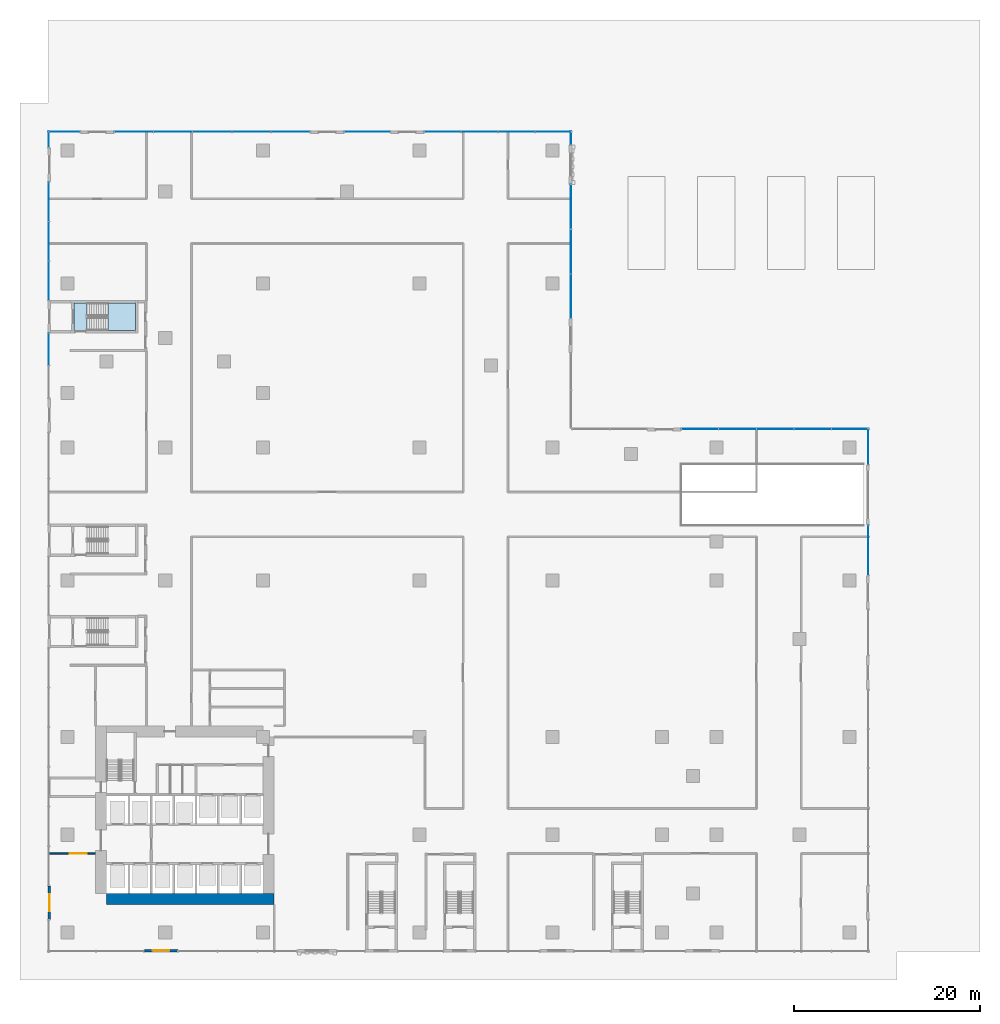
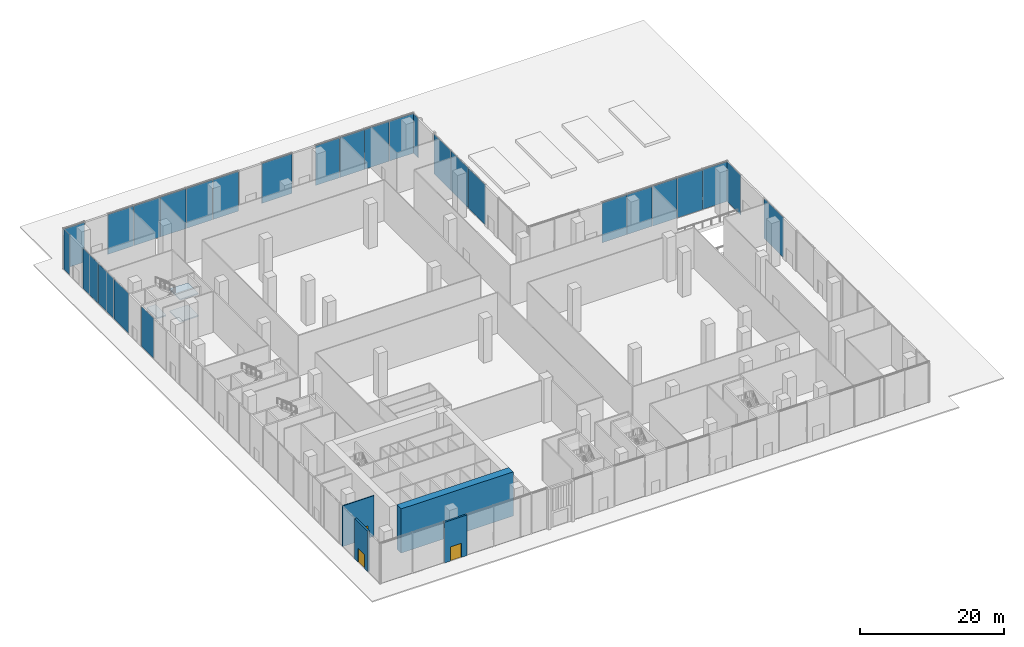
# One storey, part 12 of 26: 27 plates, 4 walls, 3 doors, 3 slabs, 3 openings, 13 elements without a shape of their own.
"""IFC4 building model written with IfcOpenShell, lengths in metres."""

import ifcopenshell
import ifcopenshell.guid

model = None  # the IFC model being written
_history = None  # IfcOwnerHistory: only IFC2X3 demands one
_inside = {}  # id of a spatial element -> (the spatial element, [elements in it])
_under = {}  # id of a project, library or spatial element -> (it, [spatial elements below it])
_declared = {}  # id of a project -> (the project, [libraries it declares])
_typed = {}  # id of a type object -> (the type object, [elements of that type])
_made_of = {}  # id of a material, layer set ... -> (it, [elements and type objects made of it])


def new_model(schema):
    """Start an empty IFC model of exactly this schema.

    Asked for "IFC4X3", IfcOpenShell would pick the latest addendum, in which some entities
    have other attributes; the version numbers below select the first issue.
    IFC2X3 requires an IfcOwnerHistory on every rooted entity: one is made here for all.
    """
    global model, _history
    if schema == "IFC4X3":
        model = ifcopenshell.file(schema_version=(4, 3, 0, 0))
    else:
        model = ifcopenshell.file(schema=schema)
    _inside.clear()
    _under.clear()
    _declared.clear()
    _typed.clear()
    _made_of.clear()
    _history = None
    if model.schema == "IFC2X3":
        org = make("IfcOrganization", Name="unknown")
        user = make(
            "IfcPersonAndOrganization",
            ThePerson=make("IfcPerson", FamilyName="unknown"),
            TheOrganization=org,
        )
        app = make(
            "IfcApplication",
            ApplicationDeveloper=org,
            Version="unknown",
            ApplicationFullName="unknown",
            ApplicationIdentifier="unknown",
        )
        _history = make(
            "IfcOwnerHistory",
            OwningUser=user,
            OwningApplication=app,
            ChangeAction="ADDED",
            CreationDate=0,
        )
    return model


def make(cls, **values):
    """One entity of the class cls with the attributes given. An attribute that is None is left unset."""
    return model.create_entity(
        cls, **{name: value for name, value in values.items() if value is not None}
    )


def rooted(cls, **values):
    """An entity with a GlobalId (a new one), such as an element, a storey or a relation."""
    return make(cls, GlobalId=ifcopenshell.guid.new(), OwnerHistory=_history, **values)


def si_unit(unit_type, name, prefix=None):
    """IfcSIUnit, for example si_unit("LENGTHUNIT", "METRE", prefix="MILLI")."""
    return make("IfcSIUnit", UnitType=unit_type, Prefix=prefix, Name=name)


def assignment(units):
    """IfcUnitAssignment: the units of a project."""
    return None if units is None else make("IfcUnitAssignment", Units=units)


def point(xyz):
    """IfcCartesianPoint."""
    return None if xyz is None else make("IfcCartesianPoint", Coordinates=xyz)


def direction(xyz):
    """IfcDirection."""
    return None if xyz is None else make("IfcDirection", DirectionRatios=xyz)


def frame(location, z_axis=None, x_axis=None):
    """IfcAxis2Placement3D, a coordinate frame: its origin and axes. An axis left out is left unset."""
    return make(
        "IfcAxis2Placement3D",
        Location=point(location),
        Axis=direction(z_axis),
        RefDirection=direction(x_axis),
    )


def frame_2d(location, x_axis=None):
    """IfcAxis2Placement2D, a coordinate frame in the plane: its origin and x axis."""
    return make(
        "IfcAxis2Placement2D", Location=point(location), RefDirection=direction(x_axis)
    )


def origin():
    """The frame at (0, 0, 0) with its axes left unset."""
    return frame((0.0, 0.0, 0.0))


def origin_2d():
    """The frame at (0, 0) in the plane with its x axis left unset."""
    return frame_2d((0.0, 0.0))


def place(relative_to, where):
    """IfcLocalPlacement: puts the frame where relative to a parent placement (None: the world)."""
    return make(
        "IfcLocalPlacement", PlacementRelTo=relative_to, RelativePlacement=where
    )


def context(
    kind, dimensions, precision=None, world=None, true_north=None, identifier=None
):
    """IfcGeometricRepresentationContext, for example the 3D "Model" context."""
    return make(
        "IfcGeometricRepresentationContext",
        ContextIdentifier=identifier,
        ContextType=kind,
        CoordinateSpaceDimension=dimensions,
        Precision=precision,
        WorldCoordinateSystem=world,
        TrueNorth=true_north,
    )


def subcontext(parent, identifier, kind, view, scale=None):
    """IfcGeometricRepresentationSubContext, for example "Body" below "Model"."""
    return make(
        "IfcGeometricRepresentationSubContext",
        ContextIdentifier=identifier,
        ContextType=kind,
        ParentContext=parent,
        TargetScale=scale,
        TargetView=view,
    )


def project(units=None, contexts=None):
    """IfcProject with its units and contexts."""
    return rooted(
        "IfcProject",
        Name="project",
        RepresentationContexts=contexts,
        UnitsInContext=assignment(units),
    )


def spatial(cls, under=None, at=None, **own):
    """A site, building, storey or space (cls), placed at a placement, below another one or the project."""
    s = rooted(cls, ObjectPlacement=at, **own)
    if under is not None:
        _under.setdefault(under.id(), (under, []))[1].append(s)
    return s


def polyline(points):
    """IfcPolyline through the points."""
    return make("IfcPolyline", Points=[point(p) for p in points])


def profile(cls, at=None, kind="AREA", **sizes):
    """A parametric profile (cls). Its sizes go by their IFC names, for example OverallWidth=200.0."""
    return make(cls, ProfileType=kind, Position=at, **sizes)


def rectangle(**sizes):
    """IfcRectangleProfileDef."""
    return profile("IfcRectangleProfileDef", **sizes)


def outline(outer, holes=None, kind="AREA"):
    """IfcArbitraryClosedProfileDef: a profile drawn as a closed curve; with holes, ...WithVoids."""
    if holes is None:
        return make("IfcArbitraryClosedProfileDef", ProfileType=kind, OuterCurve=outer)
    return make(
        "IfcArbitraryProfileDefWithVoids",
        ProfileType=kind,
        OuterCurve=outer,
        InnerCurves=holes,
    )


def extrude(swept, where, along, depth):
    """IfcExtrudedAreaSolid: the profile swept, set in the frame where, extruded along a direction by depth."""
    return make(
        "IfcExtrudedAreaSolid",
        SweptArea=swept,
        Position=where,
        ExtrudedDirection=direction(along),
        Depth=depth,
    )


def shape(context_of_items, identifier, shape_type, items):
    """IfcShapeRepresentation: the items that make up one representation, for example the "Body"."""
    return make(
        "IfcShapeRepresentation",
        ContextOfItems=context_of_items,
        RepresentationIdentifier=identifier,
        RepresentationType=shape_type,
        Items=items,
    )


def source(mapping_origin, context_of_items, identifier, shape_type, items):
    """IfcRepresentationMap: a shape defined once, which mapped items show again and again."""
    return make(
        "IfcRepresentationMap",
        MappingOrigin=mapping_origin,
        MappedRepresentation=shape(context_of_items, identifier, shape_type, items),
    )


def transform(
    local_origin,
    x_axis=None,
    y_axis=None,
    z_axis=None,
    scale=None,
    scale2=None,
    scale3=None,
    uniform=True,
):
    """IfcCartesianTransformationOperator3D, or its non-uniform kind. x_axis, y_axis, z_axis: its Axis1, 2, 3."""
    if uniform:
        return make(
            "IfcCartesianTransformationOperator3D",
            Axis1=direction(x_axis),
            Axis2=direction(y_axis),
            LocalOrigin=point(local_origin),
            Scale=scale,
            Axis3=direction(z_axis),
        )
    return make(
        "IfcCartesianTransformationOperator3DnonUniform",
        Axis1=direction(x_axis),
        Axis2=direction(y_axis),
        LocalOrigin=point(local_origin),
        Scale=scale,
        Axis3=direction(z_axis),
        Scale2=scale2,
        Scale3=scale3,
    )


def mapped(mapping_source, mapping_target):
    """IfcMappedItem: shows the shape of a source again, moved by a transform."""
    return make(
        "IfcMappedItem", MappingSource=mapping_source, MappingTarget=mapping_target
    )


def material(Name=None, Category=None):
    """IfcMaterial."""
    return make("IfcMaterial", Name=Name, Category=Category)


def layer(
    of_material, thickness, ventilated=None, Name=None, Category=None, Priority=None
):
    """IfcMaterialLayer: one layer of a wall or slab, of a material (None: an air gap)."""
    return make(
        "IfcMaterialLayer",
        Material=of_material,
        LayerThickness=thickness,
        IsVentilated=ventilated,
        Name=Name,
        Category=Category,
        Priority=Priority,
    )


def layer_set(layers, Name=None):
    """IfcMaterialLayerSet."""
    return make("IfcMaterialLayerSet", MaterialLayers=layers, LayerSetName=Name)


def made_of(thing, what):
    """Note that an element or type object is made of a material, layer set ...; save() writes the relation."""
    if what is not None:
        _made_of.setdefault(what.id(), (what, []))[1].append(thing)
    return thing


def type_object(cls, material=None, **own):
    """A type object (cls), such as IfcWallType, which elements share."""
    return made_of(rooted(cls, **own), material)


def element(
    cls,
    number,
    at=None,
    inside=None,
    cuts=None,
    type_object=None,
    material=None,
    context=None,
    identifier="Body",
    shape_type=None,
    held_by="IfcProductDefinitionShape",
    body=None,
    shapes=None,
    **own,
):
    """One element of the class cls, such as IfcWall. Its Tag is "e" and its number.

    at: its placement. inside: the storey or other place that contains it. cuts: it is an
    opening in that element (IfcRelVoidsElement). A single representation is given by context,
    identifier, shape_type and body (its items); several are given by shapes. held_by: the class
    of the entity that holds the representations. save() writes the other relations.
    """
    e = rooted(cls, Tag="e%d" % number, ObjectPlacement=at, **own)
    if body is not None:
        shapes = [shape(context, identifier, shape_type, body)]
    if shapes is not None:
        e.Representation = make(held_by, Representations=shapes)
    if inside is not None:
        _inside.setdefault(inside.id(), (inside, []))[1].append(e)
    if cuts is not None:
        rooted(
            "IfcRelVoidsElement", RelatingBuildingElement=cuts, RelatedOpeningElement=e
        )
    if type_object is not None:
        _typed.setdefault(type_object.id(), (type_object, []))[1].append(e)
    return made_of(e, material)


def fill(opening, filler):
    """IfcRelFillsElement: the door or window that sits in an opening."""
    return rooted(
        "IfcRelFillsElement",
        RelatingOpeningElement=opening,
        RelatedBuildingElement=filler,
    )


def aggregate(whole, parts):
    """IfcRelAggregates: a whole, such as a stair, and the parts it consists of."""
    return rooted("IfcRelAggregates", RelatingObject=whole, RelatedObjects=parts)


def save(model, path):
    """Write the relations noted so far, then the file.

    IfcRelAggregates (storeys below a building ...), IfcRelContainedInSpatialStructure (elements
    in a storey), IfcRelDefinesByType, IfcRelAssociatesMaterial and IfcRelDeclares: one each for
    every whole, place, type object, material and project.
    """
    for whole, parts in _under.values():
        aggregate(whole, parts)
    for where, things in _inside.values():
        rooted(
            "IfcRelContainedInSpatialStructure",
            RelatedElements=things,
            RelatingStructure=where,
        )
    for kind, things in _typed.values():
        rooted("IfcRelDefinesByType", RelatedObjects=things, RelatingType=kind)
    for what, things in _made_of.values():
        rooted("IfcRelAssociatesMaterial", RelatedObjects=things, RelatingMaterial=what)
    for by, libraries in _declared.values():
        rooted("IfcRelDeclares", RelatingContext=by, RelatedDefinitions=libraries)
    model.write(path)


model = new_model("IFC4")

# Units and contexts
model_context = context("Model", 3, precision=1e-05, world=origin(), true_north=direction((0.0, 1.0)))
body_context = subcontext(model_context, "Body", "Model", "MODEL_VIEW")
ifc_project = project(units=[si_unit("LENGTHUNIT", "METRE"), si_unit("AREAUNIT", "SQUARE_METRE"), si_unit("VOLUMEUNIT", "CUBIC_METRE"), si_unit("PLANEANGLEUNIT", "RADIAN"), si_unit("MASSUNIT", "GRAM", prefix="KILO")], contexts=[model_context])

# Site, building, storey
site_placement = place(None, origin())
site = spatial("IfcSite", under=ifc_project, at=site_placement, CompositionType="ELEMENT")
building_placement = place(site_placement, origin())
building = spatial("IfcBuilding", under=site, at=building_placement, Name="Aurelian Terraces", CompositionType="ELEMENT")
storey_placement = place(building_placement, origin())
storey = spatial("IfcBuildingStorey", under=building, at=storey_placement, Name="L00", CompositionType="ELEMENT", Elevation=0.0)

# Curtain wall, plate
ifc_material_1 = material(Name="Anodised aluminium and clear glazing", Category="aluminium")
ifc_layer_1 = layer(ifc_material_1, 0.2)
ifc_layer_set_1 = layer_set([ifc_layer_1], Name="Podium shopfront curtain wall")
curtain_wall_type = type_object("IfcCurtainWallType", Name="Podium shopfront curtain wall", PredefinedType="NOTDEFINED", material=ifc_layer_set_1)
curtain_wall_1_placement = place(storey_placement, origin())
curtain_wall_1 = element("IfcCurtainWall", 1, at=curtain_wall_1_placement, inside=storey, type_object=curtain_wall_type, Name="Podium shopfront L00 F02.7", PredefinedType="NOTDEFINED")
ifc_material_2 = material(Name="Clear glazing", Category="glass")
ifc_layer_2 = layer(ifc_material_2, 0.028)
ifc_layer_set_2 = layer_set([ifc_layer_2], Name="Podium shopfront glazing panel")
plate_type = type_object("IfcPlateType", Name="Podium shopfront glazing panel", PredefinedType="CURTAIN_PANEL", material=ifc_layer_set_2)
plate_1_placement = place(storey_placement, frame((86.0, 41.05, 0.06), z_axis=(0.0, 0.0, 1.0), x_axis=(0.0, 1.0, 0.0)))
plate_1 = element("IfcPlate", 2, at=plate_1_placement, type_object=plate_type, Name="CW1 panel 1.1", PredefinedType="CURTAIN_PANEL", context=body_context, shape_type="SweptSolid", body=[
    extrude(rectangle(XDim=5.38, YDim=0.028, at=origin_2d()), origin(), (0.0, 0.0, 1.0), 6.78),
])
aggregate(curtain_wall_1, [plate_1])

curtain_wall_2_placement = place(storey_placement, origin())
curtain_wall_2 = element("IfcCurtainWall", 3, at=curtain_wall_2_placement, inside=storey, type_object=curtain_wall_type, Name="Podium shopfront L00 F02.9", PredefinedType="NOTDEFINED")
plate_2_placement = place(storey_placement, frame((86.0, 52.19, 0.06), z_axis=(0.0, 0.0, 1.0), x_axis=(0.0, 1.0, 0.0)))
plate_2 = element("IfcPlate", 4, at=plate_2_placement, type_object=plate_type, Name="CW1 panel 1.1", PredefinedType="CURTAIN_PANEL", context=body_context, shape_type="SweptSolid", body=[
    extrude(rectangle(XDim=3.86, YDim=0.028, at=origin_2d()), origin(), (0.0, 0.0, 1.0), 6.78),
])
aggregate(curtain_wall_2, [plate_2])

# Curtain wall, plates
curtain_wall_3_placement = place(storey_placement, origin())
curtain_wall_3 = element("IfcCurtainWall", 5, at=curtain_wall_3_placement, inside=storey, type_object=curtain_wall_type, Name="Podium shopfront L00 F03.1", PredefinedType="NOTDEFINED")
plate_3_placement = place(storey_placement, frame((84.064, 54.08, 0.06), z_axis=(0.0, 0.0, 1.0), x_axis=(-1.0, 0.0, 0.0)))
plate_3 = element("IfcPlate", 6, at=plate_3_placement, type_object=plate_type, Name="CW1 panel 1.1", PredefinedType="CURTAIN_PANEL", context=body_context, shape_type="SweptSolid", body=[
    extrude(rectangle(XDim=3.952, YDim=0.028, at=origin_2d()), origin(), (0.0, 0.0, 1.0), 6.78),
])
plate_4_placement = place(storey_placement, frame((80.037, 54.08, 0.06), z_axis=(0.0, 0.0, 1.0), x_axis=(-1.0, 0.0, 0.0)))
plate_4 = element("IfcPlate", 7, at=plate_4_placement, type_object=plate_type, Name="CW1 panel 2.1", PredefinedType="CURTAIN_PANEL", context=body_context, shape_type="SweptSolid", body=[
    extrude(rectangle(XDim=3.982, YDim=0.028, at=origin_2d()), origin(), (0.0, 0.0, 1.0), 6.78),
])

curtain_wall_4_placement = place(storey_placement, origin())
curtain_wall_4 = element("IfcCurtainWall", 8, at=curtain_wall_4_placement, inside=storey, type_object=curtain_wall_type, Name="Podium shopfront L00 F04.3", PredefinedType="NOTDEFINED")
plate_5_placement = place(storey_placement, frame((54.08, 68.315, 0.06), z_axis=(0.0, 0.0, 1.0), x_axis=(0.0, 1.0, 0.0)))
plate_5 = element("IfcPlate", 9, at=plate_5_placement, type_object=plate_type, Name="CW1 panel 1.1", PredefinedType="CURTAIN_PANEL", context=body_context, shape_type="SweptSolid", body=[
    extrude(rectangle(XDim=4.73, YDim=0.028, at=origin_2d()), origin(), (0.0, 0.0, 1.0), 6.78),
])
plate_6_placement = place(storey_placement, frame((54.08, 73.12, 0.06), z_axis=(0.0, 0.0, 1.0), x_axis=(0.0, 1.0, 0.0)))
plate_6 = element("IfcPlate", 10, at=plate_6_placement, type_object=plate_type, Name="CW1 panel 2.1", PredefinedType="CURTAIN_PANEL", context=body_context, shape_type="SweptSolid", body=[
    extrude(rectangle(XDim=4.76, YDim=0.028, at=origin_2d()), origin(), (0.0, 0.0, 1.0), 6.78),
])

# Curtain wall, plate
curtain_wall_5_placement = place(storey_placement, origin())
curtain_wall_5 = element("IfcCurtainWall", 11, at=curtain_wall_5_placement, inside=storey, type_object=curtain_wall_type, Name="Podium shopfront L00 F04.5", PredefinedType="NOTDEFINED")
plate_7_placement = place(storey_placement, frame((54.08, 85.325, 0.06), z_axis=(0.0, 0.0, 1.0), x_axis=(0.0, 1.0, 0.0)))
plate_7 = element("IfcPlate", 12, at=plate_7_placement, type_object=plate_type, Name="CW1 panel 1.1", PredefinedType="CURTAIN_PANEL", context=body_context, shape_type="SweptSolid", body=[
    extrude(rectangle(XDim=1.43, YDim=0.028, at=origin_2d()), origin(), (0.0, 0.0, 1.0), 6.78),
])
aggregate(curtain_wall_5, [plate_7])

# Curtain wall, plates
curtain_wall_6_placement = place(storey_placement, origin())
curtain_wall_6 = element("IfcCurtainWall", 13, at=curtain_wall_6_placement, inside=storey, type_object=curtain_wall_type, Name="Podium shopfront L00 F05.1", PredefinedType="NOTDEFINED")
plate_8_placement = place(storey_placement, frame((52.18, 86.0, 0.06), z_axis=(0.0, 0.0, 1.0), x_axis=(-1.0, 0.0, 0.0)))
plate_8 = element("IfcPlate", 14, at=plate_8_placement, type_object=plate_type, Name="CW1 panel 1.1", PredefinedType="CURTAIN_PANEL", context=body_context, shape_type="SweptSolid", body=[
    extrude(rectangle(XDim=3.88, YDim=0.028, at=origin_2d()), origin(), (0.0, 0.0, 1.0), 6.78),
])
plate_9_placement = place(storey_placement, frame((48.225, 86.0, 0.06), z_axis=(0.0, 0.0, 1.0), x_axis=(-1.0, 0.0, 0.0)))
plate_9 = element("IfcPlate", 15, at=plate_9_placement, type_object=plate_type, Name="CW1 panel 2.1", PredefinedType="CURTAIN_PANEL", context=body_context, shape_type="SweptSolid", body=[
    extrude(rectangle(XDim=3.91, YDim=0.028, at=origin_2d()), origin(), (0.0, 0.0, 1.0), 6.78),
])

# Curtain wall, plate
curtain_wall_7_placement = place(storey_placement, origin())
curtain_wall_7 = element("IfcCurtainWall", 16, at=curtain_wall_7_placement, inside=storey, type_object=curtain_wall_type, Name="Podium shopfront L00 F06.1", PredefinedType="NOTDEFINED")
plate_10_placement = place(storey_placement, frame((-2.0, 85.175, 0.06), z_axis=(0.0, 0.0, 1.0), x_axis=(0.0, -1.0, 0.0)))
plate_10 = element("IfcPlate", 17, at=plate_10_placement, type_object=plate_type, Name="CW1 panel 1.1", PredefinedType="CURTAIN_PANEL", context=body_context, shape_type="SweptSolid", body=[
    extrude(rectangle(XDim=1.73, YDim=0.028, at=origin_2d()), origin(), (0.0, 0.0, 1.0), 6.78),
])
aggregate(curtain_wall_7, [plate_10])

# Curtain wall, plates
curtain_wall_8_placement = place(storey_placement, origin())
curtain_wall_8 = element("IfcCurtainWall", 18, at=curtain_wall_8_placement, inside=storey, type_object=curtain_wall_type, Name="Podium shopfront L00 F06.3", PredefinedType="NOTDEFINED")
plate_11_placement = place(storey_placement, frame((-2.0, 78.5017, 0.06), z_axis=(0.0, 0.0, 1.0), x_axis=(0.0, -1.0, 0.0)))
plate_11 = element("IfcPlate", 19, at=plate_11_placement, type_object=plate_type, Name="CW1 panel 1.1", PredefinedType="CURTAIN_PANEL", context=body_context, shape_type="SweptSolid", body=[
    extrude(rectangle(XDim=4.1767, YDim=0.028, at=origin_2d()), origin(), (0.0, 0.0, 1.0), 6.78),
])
plate_12_placement = place(storey_placement, frame((-2.0, 74.25, 0.06), z_axis=(0.0, 0.0, 1.0), x_axis=(0.0, -1.0, 0.0)))
plate_12 = element("IfcPlate", 20, at=plate_12_placement, type_object=plate_type, Name="CW1 panel 2.1", PredefinedType="CURTAIN_PANEL", context=body_context, shape_type="SweptSolid", body=[
    extrude(rectangle(XDim=4.2067, YDim=0.028, at=origin_2d()), origin(), (0.0, 0.0, 1.0), 6.78),
])

# Curtain wall, plate
curtain_wall_9_placement = place(storey_placement, origin())
curtain_wall_9 = element("IfcCurtainWall", 21, at=curtain_wall_9_placement, inside=storey, type_object=curtain_wall_type, Name="Podium shopfront L00 F06.4", PredefinedType="NOTDEFINED")
plate_13_placement = place(storey_placement, frame((-2.0, 62.6225, 0.06), z_axis=(0.0, 0.0, 1.0), x_axis=(0.0, -1.0, 0.0)))
plate_13 = element("IfcPlate", 22, at=plate_13_placement, type_object=plate_type, Name="CW1 panel 1.1", PredefinedType="CURTAIN_PANEL", context=body_context, shape_type="SweptSolid", body=[
    extrude(rectangle(XDim=3.435, YDim=0.028, at=origin_2d()), origin(), (0.0, 0.0, 1.0), 6.78),
])
aggregate(curtain_wall_9, [plate_13])

# Stair, slabs
ifc_material_3 = material(Name="Concrete fc' 40 MPa", Category="concrete")
stair_type = type_object("IfcStairType", Name="Stair 1400", PredefinedType="HALF_TURN_STAIR", material=ifc_material_3)
stair_placement = place(storey_placement, origin())
stair = element("IfcStair", 23, at=stair_placement, inside=storey, type_object=stair_type, Name="L00 S5", PredefinedType="HALF_TURN_STAIR")
ifc_layer_3 = layer(ifc_material_3, 0.2)
ifc_layer_set_3 = layer_set([ifc_layer_3], Name="Stair landing 200")
slab_type = type_object("IfcSlabType", Name="Stair landing 200", PredefinedType="LANDING", material=ifc_layer_set_3)
slab_1_placement = place(storey_placement, frame((0.0, 0.0, 1.675)))
slab_1 = element("IfcSlab", 24, at=slab_1_placement, type_object=slab_type, Name="S5 landing 1", PredefinedType="LANDING", context=body_context, shape_type="SweptSolid", body=[
    extrude(outline(polyline([(4.35, 64.65), (7.3, 64.65), (7.3, 67.6), (4.35, 67.6), (4.35, 64.65)])), origin(), (0.0, 0.0, 1.0), 0.2),
])
slab_2_placement = place(storey_placement, frame((0.0, 0.0, 3.55)))
slab_2 = element("IfcSlab", 25, at=slab_2_placement, type_object=slab_type, Name="S5 landing 2", PredefinedType="LANDING", context=body_context, shape_type="SweptSolid", body=[
    extrude(outline(polyline([(0.7, 64.65), (2.1, 64.65), (2.1, 67.6), (0.7, 67.6), (0.7, 64.65)])), origin(), (0.0, 0.0, 1.0), 0.2),
])

# Curtain wall, plates
curtain_wall_10_placement = place(storey_placement, origin())
curtain_wall_10 = element("IfcCurtainWall", 26, at=curtain_wall_10_placement, inside=storey, type_object=curtain_wall_type, Name="Podium shopfront L00 F05.5", PredefinedType="NOTDEFINED")
shared_shape_1 = source(origin(), body_context, "Body", "SweptSolid", [
    extrude(rectangle(XDim=4.16, YDim=0.028, at=origin_2d()), origin(), (0.0, 0.0, 1.0), 6.78),
])
plate_14_placement = place(storey_placement, frame((19.77, 86.0, 0.06), z_axis=(0.0, 0.0, 1.0), x_axis=(-1.0, 0.0, 0.0)))
plate_14 = element("IfcPlate", 27, at=plate_14_placement, type_object=plate_type, Name="CW1 panel 2.1", PredefinedType="CURTAIN_PANEL", context=body_context, shape_type="MappedRepresentation", body=[
    mapped(shared_shape_1, transform((0.0, 0.0, 0.0), scale=1.0)),
])
plate_15_placement = place(storey_placement, frame((15.55, 86.0, 0.06), z_axis=(0.0, 0.0, 1.0), x_axis=(-1.0, 0.0, 0.0)))
plate_15 = element("IfcPlate", 28, at=plate_15_placement, type_object=plate_type, Name="CW1 panel 3.1", PredefinedType="CURTAIN_PANEL", context=body_context, shape_type="MappedRepresentation", body=[
    mapped(shared_shape_1, transform((0.0, 0.0, 0.0), scale=1.0)),
])
plate_16_placement = place(storey_placement, frame((11.33, 86.0, 0.06), z_axis=(0.0, 0.0, 1.0), x_axis=(-1.0, 0.0, 0.0)))
plate_16 = element("IfcPlate", 29, at=plate_16_placement, type_object=plate_type, Name="CW1 panel 4.1", PredefinedType="CURTAIN_PANEL", context=body_context, shape_type="MappedRepresentation", body=[
    mapped(shared_shape_1, transform((0.0, 0.0, 0.0), scale=1.0)),
])
shared_shape_2 = source(origin(), body_context, "Body", "SweptSolid", [
    extrude(rectangle(XDim=4.13, YDim=0.028, at=origin_2d()), origin(), (0.0, 0.0, 1.0), 6.78),
])
plate_17_placement = place(storey_placement, frame((23.975, 86.0, 0.06), z_axis=(0.0, 0.0, 1.0), x_axis=(-1.0, 0.0, 0.0)))
plate_17 = element("IfcPlate", 30, at=plate_17_placement, type_object=plate_type, Name="CW1 panel 1.1", PredefinedType="CURTAIN_PANEL", context=body_context, shape_type="MappedRepresentation", body=[
    mapped(shared_shape_2, transform((0.0, 0.0, 0.0), scale=1.0)),
])
plate_18_placement = place(storey_placement, frame((7.125, 86.0, 0.06), z_axis=(0.0, 0.0, 1.0), x_axis=(-1.0, 0.0, 0.0)))
plate_18 = element("IfcPlate", 31, at=plate_18_placement, type_object=plate_type, Name="CW1 panel 5.1", PredefinedType="CURTAIN_PANEL", context=body_context, shape_type="MappedRepresentation", body=[
    mapped(shared_shape_2, transform((0.0, 0.0, 0.0), scale=1.0)),
])
aggregate(curtain_wall_10, [plate_17, plate_14, plate_15, plate_16, plate_18])

# Plate
shared_shape_3 = source(origin(), body_context, "Body", "SweptSolid", [
    extrude(rectangle(XDim=3.982, YDim=0.028, at=origin_2d()), origin(), (0.0, 0.0, 1.0), 6.78),
])
plate_19_placement = place(storey_placement, frame((75.995, 54.08, 0.06), z_axis=(0.0, 0.0, 1.0), x_axis=(-1.0, 0.0, 0.0)))
plate_19 = element("IfcPlate", 32, at=plate_19_placement, type_object=plate_type, Name="CW1 panel 3.1", PredefinedType="CURTAIN_PANEL", context=body_context, shape_type="MappedRepresentation", body=[
    mapped(shared_shape_3, transform((0.0, 0.0, 0.0), scale=1.0)),
])

plate_20_placement = place(storey_placement, frame((71.953, 54.08, 0.06), z_axis=(0.0, 0.0, 1.0), x_axis=(-1.0, 0.0, 0.0)))
plate_20 = element("IfcPlate", 33, at=plate_20_placement, type_object=plate_type, Name="CW1 panel 4.1", PredefinedType="CURTAIN_PANEL", context=body_context, shape_type="MappedRepresentation", body=[
    mapped(shared_shape_3, transform((0.0, 0.0, 0.0), scale=1.0)),
])

shared_shape_4 = source(origin(), body_context, "Body", "SweptSolid", [
    extrude(rectangle(XDim=3.952, YDim=0.028, at=origin_2d()), origin(), (0.0, 0.0, 1.0), 6.78),
])
plate_21_placement = place(storey_placement, frame((67.926, 54.08, 0.06), z_axis=(0.0, 0.0, 1.0), x_axis=(-1.0, 0.0, 0.0)))
plate_21 = element("IfcPlate", 34, at=plate_21_placement, type_object=plate_type, Name="CW1 panel 5.1", PredefinedType="CURTAIN_PANEL", context=body_context, shape_type="MappedRepresentation", body=[
    mapped(shared_shape_4, transform((0.0, 0.0, 0.0), scale=1.0)),
])

aggregate(curtain_wall_3, [plate_3, plate_4, plate_19, plate_20, plate_21])

shared_shape_5 = source(origin(), body_context, "Body", "SweptSolid", [
    extrude(rectangle(XDim=4.73, YDim=0.028, at=origin_2d()), origin(), (0.0, 0.0, 1.0), 6.78),
])
plate_22_placement = place(storey_placement, frame((54.08, 77.925, 0.06), z_axis=(0.0, 0.0, 1.0), x_axis=(0.0, 1.0, 0.0)))
plate_22 = element("IfcPlate", 35, at=plate_22_placement, type_object=plate_type, Name="CW1 panel 3.1", PredefinedType="CURTAIN_PANEL", context=body_context, shape_type="MappedRepresentation", body=[
    mapped(shared_shape_5, transform((0.0, 0.0, 0.0), scale=1.0)),
])

aggregate(curtain_wall_4, [plate_5, plate_6, plate_22])

shared_shape_6 = source(origin(), body_context, "Body", "SweptSolid", [
    extrude(rectangle(XDim=3.91, YDim=0.028, at=origin_2d()), origin(), (0.0, 0.0, 1.0), 6.78),
])
plate_23_placement = place(storey_placement, frame((44.255, 86.0, 0.06), z_axis=(0.0, 0.0, 1.0), x_axis=(-1.0, 0.0, 0.0)))
plate_23 = element("IfcPlate", 36, at=plate_23_placement, type_object=plate_type, Name="CW1 panel 3.1", PredefinedType="CURTAIN_PANEL", context=body_context, shape_type="MappedRepresentation", body=[
    mapped(shared_shape_6, transform((0.0, 0.0, 0.0), scale=1.0)),
])

shared_shape_7 = source(origin(), body_context, "Body", "SweptSolid", [
    extrude(rectangle(XDim=3.88, YDim=0.028, at=origin_2d()), origin(), (0.0, 0.0, 1.0), 6.78),
])
plate_24_placement = place(storey_placement, frame((40.3, 86.0, 0.06), z_axis=(0.0, 0.0, 1.0), x_axis=(-1.0, 0.0, 0.0)))
plate_24 = element("IfcPlate", 37, at=plate_24_placement, type_object=plate_type, Name="CW1 panel 4.1", PredefinedType="CURTAIN_PANEL", context=body_context, shape_type="MappedRepresentation", body=[
    mapped(shared_shape_7, transform((0.0, 0.0, 0.0), scale=1.0)),
])

aggregate(curtain_wall_6, [plate_8, plate_9, plate_23, plate_24])

# Curtain wall, plate
curtain_wall_11_placement = place(storey_placement, origin())
curtain_wall_11 = element("IfcCurtainWall", 38, at=curtain_wall_11_placement, inside=storey, type_object=curtain_wall_type, Name="Podium shopfront L00 F05.3", PredefinedType="NOTDEFINED")
shared_shape_8 = source(origin(), body_context, "Body", "SweptSolid", [
    extrude(rectangle(XDim=4.88, YDim=0.028, at=origin_2d()), origin(), (0.0, 0.0, 1.0), 6.78),
])
plate_25_placement = place(storey_placement, frame((32.2, 86.0, 0.06), z_axis=(0.0, 0.0, 1.0), x_axis=(-1.0, 0.0, 0.0)))
plate_25 = element("IfcPlate", 39, at=plate_25_placement, type_object=plate_type, Name="CW1 panel 1.1", PredefinedType="CURTAIN_PANEL", context=body_context, shape_type="MappedRepresentation", body=[
    mapped(shared_shape_8, transform((0.0, 0.0, 0.0), scale=1.0)),
])
aggregate(curtain_wall_11, [plate_25])

curtain_wall_12_placement = place(storey_placement, origin())
curtain_wall_12 = element("IfcCurtainWall", 40, at=curtain_wall_12_placement, inside=storey, type_object=curtain_wall_type, Name="Podium shopfront L00 F05.7", PredefinedType="NOTDEFINED")
shared_shape_9 = source(origin(), body_context, "Body", "SweptSolid", [
    extrude(rectangle(XDim=3.38, YDim=0.028, at=origin_2d()), origin(), (0.0, 0.0, 1.0), 6.78),
])
plate_26_placement = place(storey_placement, frame((-0.35, 86.0, 0.06), z_axis=(0.0, 0.0, 1.0), x_axis=(-1.0, 0.0, 0.0)))
plate_26 = element("IfcPlate", 41, at=plate_26_placement, type_object=plate_type, Name="CW1 panel 1.1", PredefinedType="CURTAIN_PANEL", context=body_context, shape_type="MappedRepresentation", body=[
    mapped(shared_shape_9, transform((0.0, 0.0, 0.0), scale=1.0)),
])
aggregate(curtain_wall_12, [plate_26])

# Plate
shared_shape_10 = source(origin(), body_context, "Body", "SweptSolid", [
    extrude(rectangle(XDim=4.1767, YDim=0.028, at=origin_2d()), origin(), (0.0, 0.0, 1.0), 6.78),
])
plate_27_placement = place(storey_placement, frame((-2.0, 69.9983, 0.06), z_axis=(0.0, 0.0, 1.0), x_axis=(0.0, -1.0, 0.0)))
plate_27 = element("IfcPlate", 42, at=plate_27_placement, type_object=plate_type, Name="CW1 panel 3.1", PredefinedType="CURTAIN_PANEL", context=body_context, shape_type="MappedRepresentation", body=[
    mapped(shared_shape_10, transform((0.0, 0.0, 0.0), scale=1.0)),
])

aggregate(curtain_wall_8, [plate_11, plate_12, plate_27])

# Slab
shared_shape_11 = source(origin(), body_context, "Body", "SweptSolid", [
    extrude(outline(polyline([(4.35, 64.65), (7.3, 64.65), (7.3, 67.6), (4.35, 67.6), (4.35, 64.65)])), origin(), (0.0, 0.0, 1.0), 0.2),
])
slab_3_placement = place(storey_placement, frame((0.0, 0.0, 5.425)))
slab_3 = element("IfcSlab", 43, at=slab_3_placement, type_object=slab_type, Name="S5 landing 3", PredefinedType="LANDING", context=body_context, shape_type="MappedRepresentation", body=[
    mapped(shared_shape_11, transform((0.0, 0.0, 0.0), scale=1.0)),
])

aggregate(stair, [slab_1, slab_2, slab_3])

# Wall, opening, door
ifc_material_4 = material(Name="Terracotta rainscreen cladding", Category="masonry")
ifc_layer_4 = layer(ifc_material_4, 0.3)
ifc_layer_set_4 = layer_set([ifc_layer_4], Name="EW-300")
wall_type_1 = type_object("IfcWallType", Name="EW-300", PredefinedType="STANDARD", material=ifc_layer_set_4)
wall_1_placement = place(storey_placement, frame((8.25, -1.95, 0.0), z_axis=(0.0, 0.0, 1.0), x_axis=(1.0, 0.0, 0.0)))
wall_1 = element("IfcWall", 44, at=wall_1_placement, inside=storey, type_object=wall_type_1, Name="Entrance wall L00 F01", PredefinedType="STANDARD", context=body_context, shape_type="SweptSolid", body=[
    extrude(rectangle(XDim=3.6, YDim=0.3, at=frame_2d((1.8, 0.0))), origin(), (0.0, 0.0, 1.0), 6.9),
])
opening_1_placement = place(wall_1_placement, frame((0.9, 0.0, 0.0)))
opening_1 = element("IfcOpeningElement", 45, at=opening_1_placement, cuts=wall_1, Name="Opening 80001", PredefinedType="OPENING", context=body_context, shape_type="SweptSolid", body=[
    extrude(rectangle(XDim=1.8, YDim=2.4, at=frame_2d((0.9, 1.2))), frame((0.0, 0.16, 0.0), z_axis=(0.0, -1.0, 0.0), x_axis=(1.0, 0.0, 0.0)), (0.0, 0.0, 1.0), 0.32),
])
door_type_1 = type_object("IfcDoorType", Name="ED-1800x2400", OperationType="DOUBLE_DOOR_SINGLE_SWING", PredefinedType="DOOR", material=ifc_material_2)
door_1_placement = place(opening_1_placement, origin())
door_1 = element("IfcDoor", 46, at=door_1_placement, inside=storey, type_object=door_type_1, Name="Entrance door L00 F01", OperationType="DOUBLE_DOOR_SINGLE_SWING", OverallHeight=2.4, OverallWidth=1.8, PredefinedType="DOOR", context=body_context, shape_type="SweptSolid", body=[
    extrude(rectangle(XDim=1.8, YDim=2.4, at=frame_2d((0.9, 1.2))), frame((0.0, 0.025, 0.0), z_axis=(0.0, -1.0, 0.0), x_axis=(1.0, 0.0, 0.0)), (0.0, 0.0, 1.0), 0.05),
])
fill(opening_1, door_1)

ifc_material_5 = material(Name="Gypsum board on steel studs", Category="steel")
ifc_layer_5 = layer(ifc_material_5, 0.15)
ifc_layer_set_5 = layer_set([ifc_layer_5], Name="Special partition 150")
wall_type_2 = type_object("IfcWallType", Name="Special partition 150", PredefinedType="PARTITIONING", material=ifc_layer_set_5)
wall_2_placement = place(storey_placement, frame((-2.1, 8.5, 0.0), z_axis=(0.0, 0.0, 1.0), x_axis=(1.0, 0.0, 0.0)))
wall_2 = element("IfcWall", 47, at=wall_2_placement, inside=storey, type_object=wall_type_2, Name="L00 partition W01", PredefinedType="PARTITIONING", context=body_context, shape_type="SweptSolid", body=[
    extrude(rectangle(XDim=5.1, YDim=0.15, at=frame_2d((2.55, 0.0))), origin(), (0.0, 0.0, 1.0), 6.9),
])
opening_2_placement = place(wall_2_placement, frame((2.35, 0.0, 0.0)))
opening_2 = element("IfcOpeningElement", 48, at=opening_2_placement, cuts=wall_2, Name="Opening 70301", PredefinedType="OPENING", context=body_context, shape_type="SweptSolid", body=[
    extrude(rectangle(XDim=1.8, YDim=2.1, at=frame_2d((0.9, 1.05))), frame((0.0, 0.085, 0.0), z_axis=(0.0, -1.0, 0.0), x_axis=(1.0, 0.0, 0.0)), (0.0, 0.0, 1.0), 0.17),
])
ifc_material_6 = material(Name="Timber door leaf", Category="wood")
door_type_2 = type_object("IfcDoorType", Name="Special double door 1800x2100", OperationType="DOUBLE_DOOR_SINGLE_SWING", PredefinedType="DOOR", material=ifc_material_6)
shared_shape_12 = source(origin(), body_context, "Body", "SweptSolid", [
    extrude(rectangle(XDim=1.8, YDim=2.1, at=frame_2d((0.9, 1.05))), frame((0.0, 0.025, 0.0), z_axis=(0.0, -1.0, 0.0), x_axis=(1.0, 0.0, 0.0)), (0.0, 0.0, 1.0), 0.05),
])
door_2_placement = place(opening_2_placement, origin())
door_2 = element("IfcDoor", 49, at=door_2_placement, inside=storey, type_object=door_type_2, Name="Door 70301", OperationType="DOUBLE_DOOR_SINGLE_SWING", OverallHeight=2.1, OverallWidth=1.8, PredefinedType="DOOR", context=body_context, shape_type="MappedRepresentation", body=[
    mapped(shared_shape_12, transform((0.0, 0.0, 0.0), scale=1.0)),
])
fill(opening_2, door_2)

# Wall
ifc_material_7 = material(Name="Concrete fc' 83 MPa", Category="concrete")
ifc_layer_6 = layer(ifc_material_7, 1.2)
ifc_layer_set_6 = layer_set([ifc_layer_6], Name="CORE WALL 1200 FC83")
wall_type_3 = type_object("IfcWallType", Name="CORE WALL 1200 FC83", PredefinedType="SHEAR", material=ifc_layer_set_6)
shared_shape_13 = source(origin(), body_context, "Body", "SweptSolid", [
    extrude(rectangle(XDim=18.0, YDim=1.2, at=frame_2d((9.0, 0.0))), origin(), (0.0, 0.0, 1.0), 7.5),
])
wall_3_placement = place(storey_placement, frame((4.2, 3.6, 0.0), z_axis=(0.0, 0.0, 1.0), x_axis=(1.0, 0.0, 0.0)))
element("IfcWall", 50, at=wall_3_placement, inside=storey, type_object=wall_type_3, Name="Core wall S L00", PredefinedType="SHEAR", context=body_context, shape_type="MappedRepresentation", body=[
    mapped(shared_shape_13, transform((0.0, 0.0, 0.0), scale=1.0)),
])

# Wall, opening, door
shared_shape_14 = source(origin(), body_context, "Body", "SweptSolid", [
    extrude(rectangle(XDim=3.6, YDim=0.3, at=frame_2d((1.8, 0.0))), origin(), (0.0, 0.0, 1.0), 6.9),
])
wall_4_placement = place(storey_placement, frame((-1.95, 5.0, 0.0), z_axis=(0.0, 0.0, 1.0), x_axis=(0.0, -1.0, 0.0)))
wall_4 = element("IfcWall", 51, at=wall_4_placement, inside=storey, type_object=wall_type_1, Name="Entrance wall L00 F06", PredefinedType="STANDARD", context=body_context, shape_type="MappedRepresentation", body=[
    mapped(shared_shape_14, transform((0.0, 0.0, 0.0), scale=1.0)),
])
shared_shape_15 = source(origin(), body_context, "Body", "SweptSolid", [
    extrude(rectangle(XDim=1.8, YDim=2.4, at=frame_2d((0.9, 1.2))), frame((0.0, 0.16, 0.0), z_axis=(0.0, -1.0, 0.0), x_axis=(1.0, 0.0, 0.0)), (0.0, 0.0, 1.0), 0.32),
])
opening_3_placement = place(wall_4_placement, frame((0.9, 0.0, 0.0)))
opening_3 = element("IfcOpeningElement", 52, at=opening_3_placement, cuts=wall_4, Name="Opening 80017", PredefinedType="OPENING", context=body_context, shape_type="MappedRepresentation", body=[
    mapped(shared_shape_15, transform((0.0, 0.0, 0.0), scale=1.0)),
])
shared_shape_16 = source(origin(), body_context, "Body", "SweptSolid", [
    extrude(rectangle(XDim=1.8, YDim=2.4, at=frame_2d((0.9, 1.2))), frame((0.0, 0.025, 0.0), z_axis=(0.0, -1.0, 0.0), x_axis=(1.0, 0.0, 0.0)), (0.0, 0.0, 1.0), 0.05),
])
door_3_placement = place(opening_3_placement, origin())
door_3 = element("IfcDoor", 53, at=door_3_placement, inside=storey, type_object=door_type_1, Name="Entrance door L00 F06", OperationType="DOUBLE_DOOR_SINGLE_SWING", OverallHeight=2.4, OverallWidth=1.8, PredefinedType="DOOR", context=body_context, shape_type="MappedRepresentation", body=[
    mapped(shared_shape_16, transform((0.0, 0.0, 0.0), scale=1.0)),
])
fill(opening_3, door_3)

save(model, "model.ifc")
